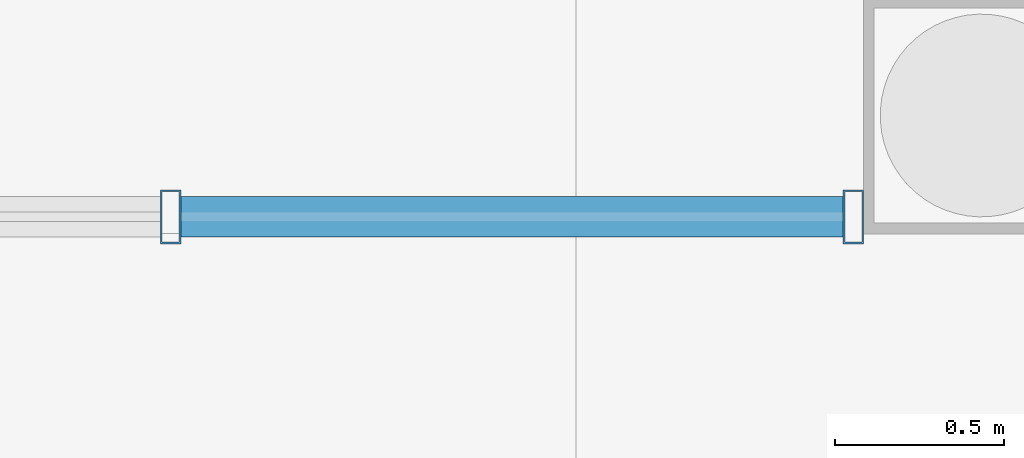
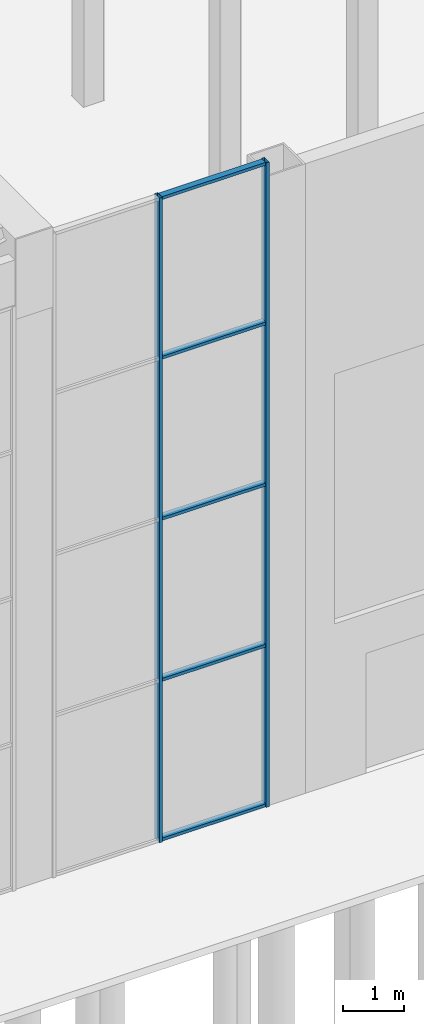
# One storey, part 26 of 58: 7 members, 1 element without a shape of its own.
"""IFC4 building model written with IfcOpenShell, lengths in metres."""

from ifc_helpers import new_model, si_unit, direction, frame, origin, origin_2d, place, context, subcontext, project, spatial, hollow_rectangle, extrude, material, layer, layer_set, material_profile, profile_set, type_object, element, aggregate, save


model = new_model("IFC4")

# Units and contexts
model_context = context("Model", 3, precision=1e-05, world=origin(), true_north=direction((0.0, 1.0)))
body_context = subcontext(model_context, "Body", "Model", "MODEL_VIEW")
ifc_project = project(units=[si_unit("LENGTHUNIT", "METRE"), si_unit("AREAUNIT", "SQUARE_METRE"), si_unit("VOLUMEUNIT", "CUBIC_METRE"), si_unit("PLANEANGLEUNIT", "RADIAN"), si_unit("MASSUNIT", "GRAM", prefix="KILO")], contexts=[model_context])

# Site, building, storey
site_placement = place(None, origin())
site = spatial("IfcSite", under=ifc_project, at=site_placement, CompositionType="ELEMENT")
building_placement = place(site_placement, origin())
building = spatial("IfcBuilding", under=site, at=building_placement, Name="Baori Bourse Tower", CompositionType="ELEMENT")
storey_placement = place(building_placement, origin())
storey = spatial("IfcBuildingStorey", under=building, at=storey_placement, Name="L00", CompositionType="ELEMENT", Elevation=0.0)

# Curtain wall, members
ifc_material_1 = material(Name="Pale anodised aluminium", Category="aluminium")
ifc_layer = layer(ifc_material_1, 0.10009765625)
ifc_layer_set = layer_set([ifc_layer], Name="Wing curtain wall")
curtain_wall_type = type_object("IfcCurtainWallType", Name="Wing curtain wall", PredefinedType="NOTDEFINED", material=ifc_layer_set)
curtain_wall_placement = place(storey_placement, origin())
curtain_wall = element("IfcCurtainWall", 1, at=curtain_wall_placement, inside=storey, type_object=curtain_wall_type, Name="wing/L00/hallcw/006", PredefinedType="NOTDEFINED")
ifc_material_2 = material(Name="Pale anodised aluminium", Category="aluminium")
ifc_material_profile_1 = material_profile(ifc_material_2, hollow_rectangle(XDim=0.159912109375, YDim=0.06005859375, WallThickness=0.0048828125, at=origin_2d()), Name="Mullion 160x60x5")
ifc_profile_set_1 = profile_set([ifc_material_profile_1], Name="Pale anodised aluminium")
member_type_1 = type_object("IfcMemberType", Name="Wing mullion 60x160", PredefinedType="MULLION", material=ifc_profile_set_1)
member_1_placement = place(storey_placement, frame((40.800048828125, -25.14990234375, 0.0), z_axis=(0.0, 0.0, 1.0), x_axis=(0.0, 1.0, 0.0)))
member_1 = element("IfcMember", 2, at=member_1_placement, type_object=member_type_1, Name="X12 mullion 2", PredefinedType="MULLION", context=body_context, shape_type="SweptSolid", body=[
    extrude(hollow_rectangle(XDim=0.159912109375, YDim=0.06005859375, WallThickness=0.0048828125, at=origin_2d()), origin(), (0.0, 0.0, 1.0), 12.89990234375),
])
member_2_placement = place(storey_placement, frame((42.820068359375, -25.14990234375, 0.0), z_axis=(0.0, 0.0, 1.0), x_axis=(0.0, 1.0, 0.0)))
member_2 = element("IfcMember", 3, at=member_2_placement, type_object=member_type_1, Name="X12 mullion 3", PredefinedType="MULLION", context=body_context, shape_type="SweptSolid", body=[
    extrude(hollow_rectangle(XDim=0.159912109375, YDim=0.06005859375, WallThickness=0.0048828125, at=origin_2d()), origin(), (0.0, 0.0, 1.0), 12.89990234375),
])
ifc_material_3 = material(Name="Pale anodised aluminium", Category="aluminium")
ifc_material_profile_2 = material_profile(ifc_material_3, hollow_rectangle(XDim=0.1201171875, YDim=0.06005859375, WallThickness=0.0048828125, at=origin_2d()), Name="Transom 120x60x5")
ifc_profile_set_2 = profile_set([ifc_material_profile_2], Name="Pale anodised aluminium")
member_type_2 = type_object("IfcMemberType", Name="Wing transom 120x60", PredefinedType="USERDEFINED", material=ifc_profile_set_2)
member_3_placement = place(storey_placement, frame((40.830078125, -25.14990234375, 0.030029296875), z_axis=(1.0, 0.0, 0.0), x_axis=(0.0, 1.0, 0.0)))
member_3 = element("IfcMember", 4, at=member_3_placement, type_object=member_type_2, Name="X12 transom 2.1", ObjectType="TRANSOM", PredefinedType="USERDEFINED", context=body_context, shape_type="SweptSolid", body=[
    extrude(hollow_rectangle(XDim=0.1201171875, YDim=0.06005859375, WallThickness=0.0048828125, at=origin_2d()), origin(), (0.0, 0.0, 1.0), 1.9599609375),
])
member_4_placement = place(storey_placement, frame((40.830078125, -25.14990234375, 3.22509765625), z_axis=(1.0, 0.0, 0.0), x_axis=(0.0, 1.0, 0.0)))
member_4 = element("IfcMember", 5, at=member_4_placement, type_object=member_type_2, Name="X12 transom 2.2", ObjectType="TRANSOM", PredefinedType="USERDEFINED", context=body_context, shape_type="SweptSolid", body=[
    extrude(hollow_rectangle(XDim=0.1201171875, YDim=0.06005859375, WallThickness=0.0048828125, at=origin_2d()), origin(), (0.0, 0.0, 1.0), 1.9599609375),
])
member_5_placement = place(storey_placement, frame((40.830078125, -25.14990234375, 6.449951171875), z_axis=(1.0, 0.0, 0.0), x_axis=(0.0, 1.0, 0.0)))
member_5 = element("IfcMember", 6, at=member_5_placement, type_object=member_type_2, Name="X12 transom 2.3", ObjectType="TRANSOM", PredefinedType="USERDEFINED", context=body_context, shape_type="SweptSolid", body=[
    extrude(hollow_rectangle(XDim=0.1201171875, YDim=0.06005859375, WallThickness=0.0048828125, at=origin_2d()), origin(), (0.0, 0.0, 1.0), 1.9599609375),
])
member_6_placement = place(storey_placement, frame((40.830078125, -25.14990234375, 9.675048828125), z_axis=(1.0, 0.0, 0.0), x_axis=(0.0, 1.0, 0.0)))
member_6 = element("IfcMember", 7, at=member_6_placement, type_object=member_type_2, Name="X12 transom 2.4", ObjectType="TRANSOM", PredefinedType="USERDEFINED", context=body_context, shape_type="SweptSolid", body=[
    extrude(hollow_rectangle(XDim=0.1201171875, YDim=0.06005859375, WallThickness=0.0048828125, at=origin_2d()), origin(), (0.0, 0.0, 1.0), 1.9599609375),
])
member_7_placement = place(storey_placement, frame((40.830078125, -25.14990234375, 12.8701171875), z_axis=(1.0, 0.0, 0.0), x_axis=(0.0, 1.0, 0.0)))
member_7 = element("IfcMember", 8, at=member_7_placement, type_object=member_type_2, Name="X12 transom 2.5", ObjectType="TRANSOM", PredefinedType="USERDEFINED", context=body_context, shape_type="SweptSolid", body=[
    extrude(hollow_rectangle(XDim=0.1201171875, YDim=0.06005859375, WallThickness=0.0048828125, at=origin_2d()), origin(), (0.0, 0.0, 1.0), 1.9599609375),
])
aggregate(curtain_wall, [member_1, member_2, member_3, member_4, member_5, member_6, member_7])

save(model, "model.ifc")
